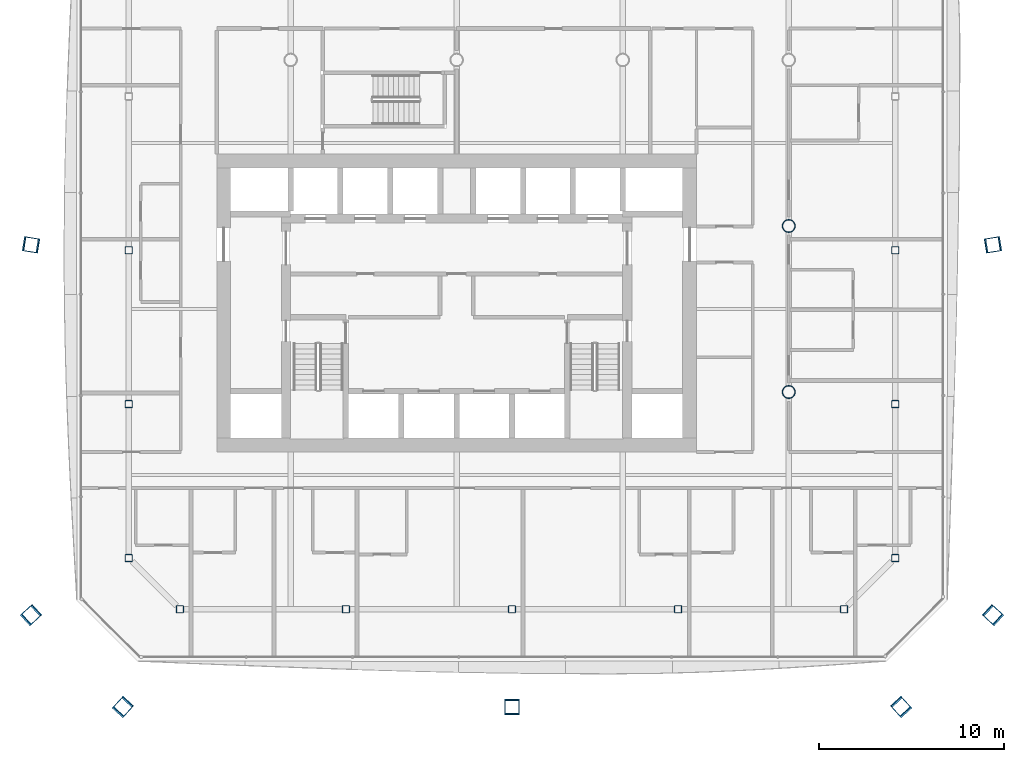
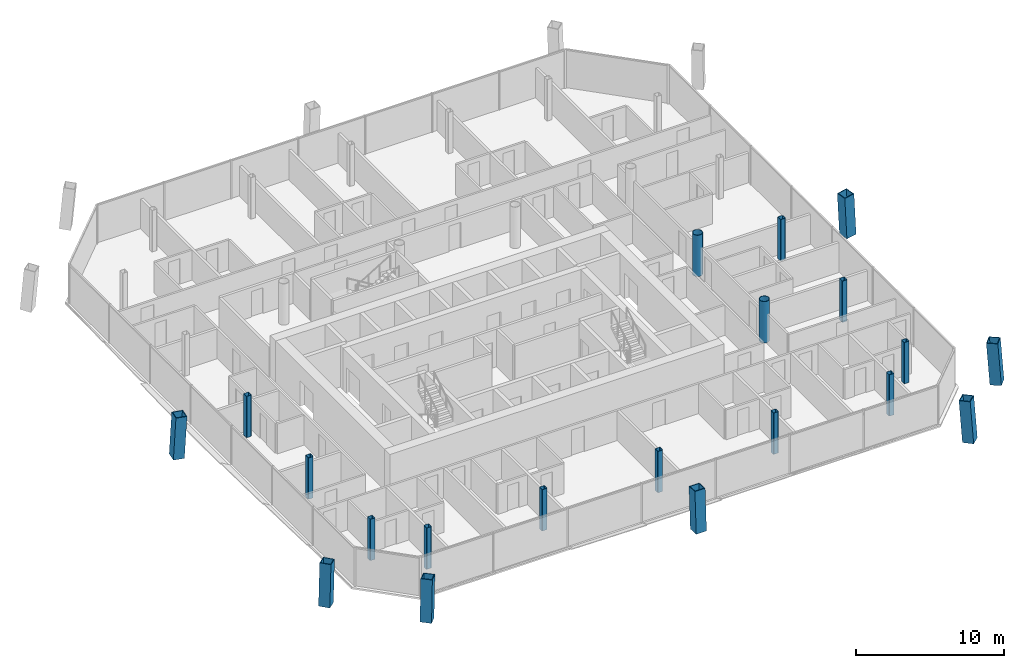
# One storey, part 1 of 21: 20 columns.
"""IFC4 building model written with IfcOpenShell, lengths in metres."""

from ifc_helpers import new_model, si_unit, direction, frame, origin, origin_2d, place, context, subcontext, project, spatial, hollow_rectangle, hollow_circle, extrude, material, material_profile, profile_set, type_object, element, save


model = new_model("IFC4")

# Units and contexts
model_context = context("Model", 3, precision=1e-05, world=origin(), true_north=direction((0.0, 1.0)))
body_context = subcontext(model_context, "Body", "Model", "MODEL_VIEW")
ifc_project = project(units=[si_unit("LENGTHUNIT", "METRE"), si_unit("AREAUNIT", "SQUARE_METRE"), si_unit("VOLUMEUNIT", "CUBIC_METRE"), si_unit("PLANEANGLEUNIT", "RADIAN"), si_unit("MASSUNIT", "GRAM", prefix="KILO")], contexts=[model_context])

# Site, building, storey
site_placement = place(None, origin())
site = spatial("IfcSite", under=ifc_project, at=site_placement, CompositionType="ELEMENT")
building_placement = place(site_placement, origin())
building = spatial("IfcBuilding", under=site, at=building_placement, Name="Tskaro Facet Tower", CompositionType="ELEMENT")
storey_placement = place(building_placement, frame((0.0, 0.0, 128.300048828125)))
storey = spatial("IfcBuildingStorey", under=building, at=storey_placement, Name="L30", CompositionType="ELEMENT", Elevation=128.300048828125)

# Columns
ifc_material_1 = material(Name="Steel S460M", Category="steel")
ifc_material_profile_1 = material_profile(ifc_material_1, hollow_rectangle(XDim=0.800048828125, YDim=0.800048828125, WallThickness=0.050048828125, at=origin_2d()), Name="BOX 800x800x50")
ifc_profile_set_1 = profile_set([ifc_material_profile_1], Name="Steel S460M")
column_type_1 = type_object("IfcColumnType", Name="BOX 800x800x50 mega column", PredefinedType="COLUMN", material=ifc_profile_set_1)
column_1_placement = place(storey_placement, frame((-18.117919921875, -26.10205078125, 0.0), z_axis=(0.048986800555, 0.0537135971, 0.997354070959), x_axis=(-0.738869281565, 0.673848784787, 0.0)))
element("IfcColumn", 1, at=column_1_placement, inside=storey, type_object=column_type_1, Name="BOX 800x800x50 MC01/3", PredefinedType="COLUMN", context=body_context, shape_type="SweptSolid", body=[
    extrude(hollow_rectangle(XDim=0.800048828125, YDim=0.800048828125, WallThickness=0.050048828125, at=origin_2d()), origin(), (0.0, 0.0, 1.0), 3.408935546875),
])
column_2_placement = place(storey_placement, frame((3.0, -26.10205078125, 0.0), z_axis=(0.0, 0.053778161763, 0.998552907621), x_axis=(-1.0, 0.0, 0.0)))
element("IfcColumn", 2, at=column_2_placement, inside=storey, type_object=column_type_1, Name="BOX 800x800x50 MC02/3", PredefinedType="COLUMN", context=body_context, shape_type="SweptSolid", body=[
    extrude(hollow_rectangle(XDim=0.800048828125, YDim=0.800048828125, WallThickness=0.050048828125, at=origin_2d()), origin(), (0.0, 0.0, 1.0), 3.40478515625),
])
for number, where, z_axis, x_axis, name in (
    (3, (24.117919921875, -26.10205078125, 0.0), (-0.048986800555, 0.0537135971, 0.997354070959), (-0.738869281565, -0.673848784787, 0.0), "BOX 800x800x50 MC03/3"),
    (4, (29.10205078125, -21.117919921875, 0.0), (-0.0537135971, 0.048986800555, 0.997354070959), (-0.673848784787, -0.738869281565, 0.0), "BOX 800x800x50 MC04/3"),
):
    element("IfcColumn", number, at=place(storey_placement, frame(where, z_axis=z_axis, x_axis=x_axis)), inside=storey, type_object=column_type_1, Name=name, PredefinedType="COLUMN", context=body_context, shape_type="SweptSolid", body=[
        extrude(hollow_rectangle(XDim=0.800048828125, YDim=0.800048828125, WallThickness=0.050048828125, at=origin_2d()), origin(), (0.0, 0.0, 1.0), 3.408935546875),
    ])
for number, where, z_axis, x_axis, name in (
    (5, (29.10205078125, -1.01611328125, 0.0), (-0.053776104167, -0.008747579611, 0.998514702181), (0.160556339519, -0.98702667737, 0.0), "BOX 800x800x50 MC05/3"),
    (6, (-23.10205078125, -1.01611328125, 0.0), (0.053776104167, -0.008747579611, 0.998514702181), (0.160556339519, 0.98702667737, 0.0), "BOX 800x800x50 MC11/3"),
):
    element("IfcColumn", number, at=place(storey_placement, frame(where, z_axis=z_axis, x_axis=x_axis)), inside=storey, type_object=column_type_1, Name=name, PredefinedType="COLUMN", context=body_context, shape_type="SweptSolid", body=[
        extrude(hollow_rectangle(XDim=0.800048828125, YDim=0.800048828125, WallThickness=0.050048828125, at=origin_2d()), origin(), (0.0, 0.0, 1.0), 3.405029296875),
    ])
column_3_placement = place(storey_placement, frame((-23.10205078125, -21.117919921875, 0.0), z_axis=(0.0537135971, 0.048986800555, 0.997354070959), x_axis=(-0.673848784787, 0.738869281565, 0.0)))
element("IfcColumn", 7, at=column_3_placement, inside=storey, type_object=column_type_1, Name="BOX 800x800x50 MC12/3", PredefinedType="COLUMN", context=body_context, shape_type="SweptSolid", body=[
    extrude(hollow_rectangle(XDim=0.800048828125, YDim=0.800048828125, WallThickness=0.050048828125, at=origin_2d()), origin(), (0.0, 0.0, 1.0), 3.408935546875),
])
ifc_material_2 = material(Name="Steel S355J2H", Category="steel")
ifc_material_profile_2 = material_profile(ifc_material_2, hollow_circle(Radius=0.35546875, WallThickness=0.031982421875, at=origin_2d()), Name="CHS 711x32")
ifc_profile_set_2 = profile_set([ifc_material_profile_2], Name="Steel S355J2H")
column_type_2 = type_object("IfcColumnType", Name="CHS 711x32 interior column", PredefinedType="COLUMN", material=ifc_profile_set_2)
for number, where, z_axis, x_axis, name in (
    (8, (18.0, -9.0, 0.0), (0.0, 0.0, 1.0), (1.0, 0.0, 0.0), "CHS 711x32 C6C/3"),
    (9, (18.0, 0.0, 0.0), (0.0, 0.0, 1.0), (1.0, 0.0, 0.0), "CHS 711x32 C6D/3"),
):
    element("IfcColumn", number, at=place(storey_placement, frame(where, z_axis=z_axis, x_axis=x_axis)), inside=storey, type_object=column_type_2, Name=name, PredefinedType="COLUMN", context=body_context, shape_type="SweptSolid", body=[
        extrude(hollow_circle(Radius=0.35546875, WallThickness=0.031982421875, at=origin_2d()), origin(), (0.0, 0.0, 1.0), 3.39990234375),
    ])
ifc_material_profile_3 = material_profile(ifc_material_2, hollow_rectangle(XDim=0.39990234375, YDim=0.39990234375, WallThickness=0.02001953125, InnerFilletRadius=0.030029296875, OuterFilletRadius=0.050048828125, at=origin_2d()), Name="SHS 400x400x20")
ifc_profile_set_3 = profile_set([ifc_material_profile_3], Name="Steel S355J2H")
column_type_3 = type_object("IfcColumnType", Name="SHS 400x400x20 ring column", PredefinedType="COLUMN", material=ifc_profile_set_3)
for number, where, z_axis, x_axis, name in (
    (10, (-14.9990234375, -20.77392578125, 0.0), (0.0, 0.0, 1.0), (1.0, 0.0, 0.0), "SHS 400x400x20 RS-1/3"),
    (11, (-6.0, -20.77392578125, 0.0), (0.0, 0.0, 1.0), (1.0, 0.0, 0.0), "SHS 400x400x20 RS-2/3"),
    (12, (3.0, -20.77392578125, 0.0), (0.0, 0.0, 1.0), (1.0, 0.0, 0.0), "SHS 400x400x20 RS-3/3"),
    (13, (12.0, -20.77392578125, 0.0), (0.0, 0.0, 1.0), (1.0, 0.0, 0.0), "SHS 400x400x20 RS-4/3"),
    (14, (20.9990234375, -20.77392578125, 0.0), (0.0, 0.0, 1.0), (1.0, 0.0, 0.0), "SHS 400x400x20 RSE-1/3"),
    (15, (23.77392578125, -17.9990234375, 0.0), (0.0, 0.0, 1.0), (1.0, 0.0, 0.0), "SHS 400x400x20 RE-1/3"),
    (16, (23.77392578125, -9.656982421875, 0.0), (0.0, 0.0, 1.0), (1.0, 0.0, 0.0), "SHS 400x400x20 RE-2/3"),
    (17, (23.77392578125, -1.31591796875, 0.0), (0.0, 0.0, 1.0), (1.0, 0.0, 0.0), "SHS 400x400x20 RE-3/3"),
    (18, (-17.77392578125, -1.31494140625, 0.0), (0.0, 0.0, 1.0), (1.0, 0.0, 0.0), "SHS 400x400x20 RW-3/3"),
    (19, (-17.77392578125, -9.656982421875, 0.0), (0.0, 0.0, 1.0), (1.0, 0.0, 0.0), "SHS 400x400x20 RW-4/3"),
    (20, (-17.77392578125, -17.9990234375, 0.0), (0.0, 0.0, 1.0), (1.0, 0.0, 0.0), "SHS 400x400x20 RSW-1/3"),
):
    element("IfcColumn", number, at=place(storey_placement, frame(where, z_axis=z_axis, x_axis=x_axis)), inside=storey, type_object=column_type_3, Name=name, PredefinedType="COLUMN", context=body_context, shape_type="SweptSolid", body=[
        extrude(hollow_rectangle(XDim=0.39990234375, YDim=0.39990234375, WallThickness=0.02001953125, InnerFilletRadius=0.030029296875, OuterFilletRadius=0.050048828125, at=origin_2d()), origin(), (0.0, 0.0, 1.0), 3.39990234375),
    ])

save(model, "model.ifc")
